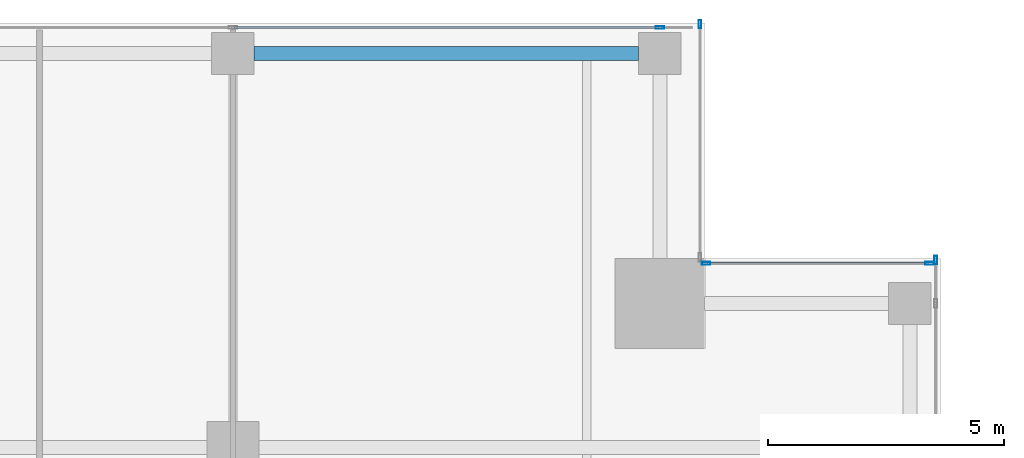
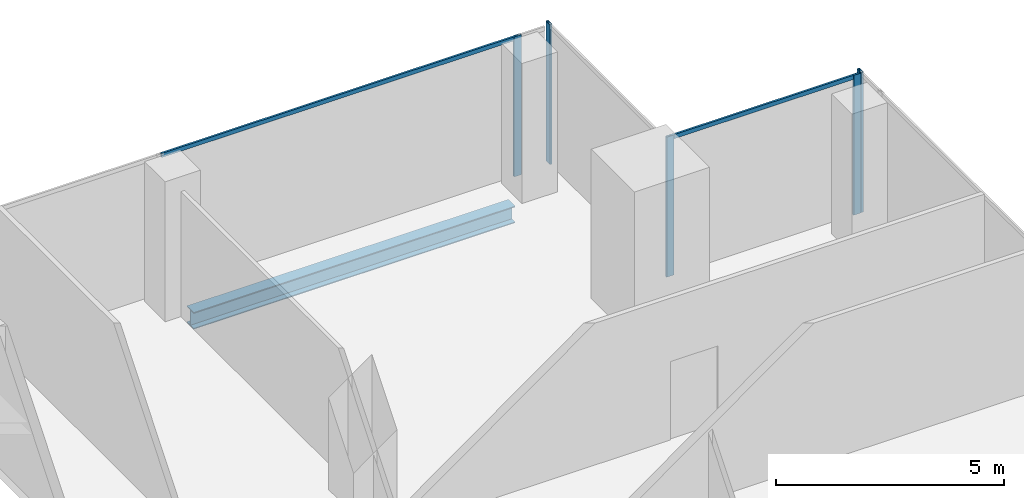
# One storey, part 24 of 36: 7 members, 1 beam, 4 elements without a shape of their own.
"""IFC4 building model written with IfcOpenShell, lengths in metres."""

from ifc_helpers import new_model, si_unit, direction, frame, origin, origin_2d, place, context, subcontext, project, spatial, hollow_rectangle, i_section, extrude, source, transform, mapped, material, material_profile, profile_set, type_object, element, aggregate, save


model = new_model("IFC4")

# Units and contexts
model_context = context("Model", 3, precision=1e-05, world=origin(), true_north=direction((0.0, 1.0)))
body_context = subcontext(model_context, "Body", "Model", "MODEL_VIEW")
ifc_project = project(units=[si_unit("LENGTHUNIT", "METRE"), si_unit("AREAUNIT", "SQUARE_METRE"), si_unit("VOLUMEUNIT", "CUBIC_METRE"), si_unit("PLANEANGLEUNIT", "RADIAN"), si_unit("MASSUNIT", "GRAM", prefix="KILO")], contexts=[model_context])

# Site, building, storey
site_placement = place(None, origin())
site = spatial("IfcSite", under=ifc_project, at=site_placement, CompositionType="ELEMENT")
building_placement = place(site_placement, origin())
building = spatial("IfcBuilding", under=site, at=building_placement, Name="Khomas Fold Tower", CompositionType="ELEMENT")
storey_placement = place(building_placement, frame((0.0, 0.0, 230.199951171875)))
storey = spatial("IfcBuildingStorey", under=building, at=storey_placement, Name="L51", CompositionType="ELEMENT", Elevation=230.199951171875)

# Beam
ifc_material_1 = material(Name="Steel S355", Category="steel")
ifc_material_profile_1 = material_profile(ifc_material_1, i_section(OverallWidth=0.300048828125, OverallDepth=0.449951171875, WebThickness=0.013916015625, FlangeThickness=0.02587890625, at=origin_2d()), Name="HE 450 B")
ifc_profile_set_1 = profile_set([ifc_material_profile_1], Name="Steel S355")
beam_type = type_object("IfcBeamType", Name="HE 450 B spandrel SB4", PredefinedType="SPANDREL", material=ifc_profile_set_1)
shared_shape_1 = source(origin(), body_context, "Body", "SweptSolid", [
    extrude(i_section(OverallWidth=0.300048828125, OverallDepth=0.449951171875, WebThickness=0.013916015625, FlangeThickness=0.02587890625, at=origin_2d()), origin(), (0.0, 0.0, 1.0), 8.150146484375),
])
beam_placement = place(storey_placement, frame((34.949951171875, 48.85009765625, -0.474853515625), z_axis=(1.0, 0.0, 0.0), x_axis=(0.0, 1.0, 0.0)))
element("IfcBeam", 1, at=beam_placement, inside=storey, type_object=beam_type, Name="SB4", PredefinedType="SPANDREL", context=body_context, shape_type="MappedRepresentation", body=[
    mapped(shared_shape_1, transform((0.0, 0.0, 0.0))),
])

# Curtain wall, member
ifc_material_2 = material(Name="Aluminium framed double glazing", Category="aluminium")
curtain_wall_type = type_object("IfcCurtainWallType", Name="SK-Unitised clear-glass wall, office floors CW2", PredefinedType="NOTDEFINED", material=ifc_material_2)
curtain_wall_1_placement = place(storey_placement, origin())
curtain_wall_1 = element("IfcCurtainWall", 2, at=curtain_wall_1_placement, inside=storey, type_object=curtain_wall_type, Name="CW2 run L51 03-1", PredefinedType="NOTDEFINED")
ifc_material_3 = material(Name="Aluminium", Category="aluminium")
ifc_material_profile_2 = material_profile(ifc_material_3, hollow_rectangle(XDim=0.06005859375, YDim=0.179931640625, WallThickness=0.00390625, at=origin_2d()), Name="SK-Unitised clear-glass wall, office floors mullion CW2-M")
ifc_profile_set_2 = profile_set([ifc_material_profile_2], Name="Aluminium")
member_type_1 = type_object("IfcMemberType", Name="SK-Unitised clear-glass wall, office floors mullion CW2-M", PredefinedType="MULLION", material=ifc_profile_set_2)
shared_shape_2 = source(origin(), body_context, "Body", "SweptSolid", [
    extrude(hollow_rectangle(XDim=0.06005859375, YDim=0.179931640625, WallThickness=0.00390625, at=origin_2d()), origin(), (0.0, 0.0, 1.0), 3.75),
])
member_1_placement = place(storey_placement, frame((49.39990234375, 44.469970703125, 0.0), z_axis=(0.0, 0.0, 1.0), x_axis=(-1.0, 0.0, 0.0)))
member_1 = element("IfcMember", 3, at=member_1_placement, type_object=member_type_1, Name="CW2 mullion 5", PredefinedType="MULLION", context=body_context, shape_type="MappedRepresentation", body=[
    mapped(shared_shape_2, transform((0.0, 0.0, 0.0))),
])
aggregate(curtain_wall_1, [member_1])

# Curtain wall, members
curtain_wall_2_placement = place(storey_placement, origin())
curtain_wall_2 = element("IfcCurtainWall", 4, at=curtain_wall_2_placement, inside=storey, type_object=curtain_wall_type, Name="CW2 corner return L51 04", PredefinedType="NOTDEFINED")
member_2_placement = place(storey_placement, frame((49.27001953125, 44.39990234375, 0.0), z_axis=(0.0, 0.0, 1.0), x_axis=(0.0, -1.0, 0.0)))
member_2 = element("IfcMember", 5, at=member_2_placement, type_object=member_type_1, Name="CW2 mullion 1", PredefinedType="MULLION", context=body_context, shape_type="MappedRepresentation", body=[
    mapped(shared_shape_2, transform((0.0, 0.0, 0.0))),
])
member_3_placement = place(storey_placement, frame((44.530029296875, 44.39990234375, 0.0), z_axis=(0.0, 0.0, 1.0), x_axis=(0.0, -1.0, 0.0)))
member_3 = element("IfcMember", 6, at=member_3_placement, type_object=member_type_1, Name="CW2 mullion 2", PredefinedType="MULLION", context=body_context, shape_type="MappedRepresentation", body=[
    mapped(shared_shape_2, transform((0.0, 0.0, 0.0))),
])

# Curtain wall, member
curtain_wall_3_placement = place(storey_placement, origin())
curtain_wall_3 = element("IfcCurtainWall", 7, at=curtain_wall_3_placement, inside=storey, type_object=curtain_wall_type, Name="CW2 corner return L51 05", PredefinedType="NOTDEFINED")
member_4_placement = place(storey_placement, frame((44.39990234375, 49.469970703125, 0.0), z_axis=(0.0, 0.0, 1.0), x_axis=(-1.0, 0.0, 0.0)))
member_4 = element("IfcMember", 8, at=member_4_placement, type_object=member_type_1, Name="CW2 mullion 2", PredefinedType="MULLION", context=body_context, shape_type="MappedRepresentation", body=[
    mapped(shared_shape_2, transform((0.0, 0.0, 0.0))),
])
aggregate(curtain_wall_3, [member_4])

# Curtain wall, members
curtain_wall_4_placement = place(storey_placement, origin())
curtain_wall_4 = element("IfcCurtainWall", 9, at=curtain_wall_4_placement, inside=storey, type_object=curtain_wall_type, Name="CW2 run L51 06-0", PredefinedType="NOTDEFINED")
member_5_placement = place(storey_placement, frame((43.550048828125, 49.39990234375, 0.0), z_axis=(0.0, 0.0, 1.0), x_axis=(0.0, -1.0, 0.0)))
member_5 = element("IfcMember", 10, at=member_5_placement, type_object=member_type_1, Name="CW2 mullion 2", PredefinedType="MULLION", context=body_context, shape_type="MappedRepresentation", body=[
    mapped(shared_shape_2, transform((0.0, 0.0, 0.0))),
])
ifc_material_4 = material(Name="Aluminium", Category="aluminium")
ifc_material_profile_3 = material_profile(ifc_material_4, hollow_rectangle(XDim=0.050048828125, YDim=0.110107421875, WallThickness=0.00390625, at=origin_2d()), Name="SK-Unitised clear-glass wall, office floors transom CW2-T")
ifc_profile_set_3 = profile_set([ifc_material_profile_3], Name="Aluminium")
member_type_2 = type_object("IfcMemberType", Name="SK-Unitised clear-glass wall, office floors transom CW2-T", PredefinedType="USERDEFINED", material=ifc_profile_set_3)
shared_shape_3 = source(origin(), body_context, "Body", "SweptSolid", [
    extrude(hollow_rectangle(XDim=0.050048828125, YDim=0.110107421875, WallThickness=0.00390625, at=origin_2d()), origin(), (0.0, 0.0, 1.0), 8.989990234375),
])
member_6_placement = place(storey_placement, frame((43.52001953125, 49.39990234375, 3.695068359375), z_axis=(-1.0, 0.0, 0.0), x_axis=(0.0, -1.0, 0.0)))
member_6 = element("IfcMember", 11, at=member_6_placement, type_object=member_type_2, Name="CW2 transom 2", ObjectType="TRANSOM", PredefinedType="USERDEFINED", context=body_context, shape_type="MappedRepresentation", body=[
    mapped(shared_shape_3, transform((0.0, 0.0, 0.0))),
])
aggregate(curtain_wall_4, [member_5, member_6])

# Member
shared_shape_4 = source(origin(), body_context, "Body", "SweptSolid", [
    extrude(hollow_rectangle(XDim=0.050048828125, YDim=0.110107421875, WallThickness=0.00390625, at=origin_2d()), origin(), (0.0, 0.0, 1.0), 4.679931640625),
])
member_7_placement = place(storey_placement, frame((49.239990234375, 44.39990234375, 3.695068359375), z_axis=(-1.0, 0.0, 0.0), x_axis=(0.0, -1.0, 0.0)))
member_7 = element("IfcMember", 12, at=member_7_placement, type_object=member_type_2, Name="CW2 transom 1", ObjectType="TRANSOM", PredefinedType="USERDEFINED", context=body_context, shape_type="MappedRepresentation", body=[
    mapped(shared_shape_4, transform((0.0, 0.0, 0.0))),
])

aggregate(curtain_wall_2, [member_2, member_3, member_7])

save(model, "model.ifc")
